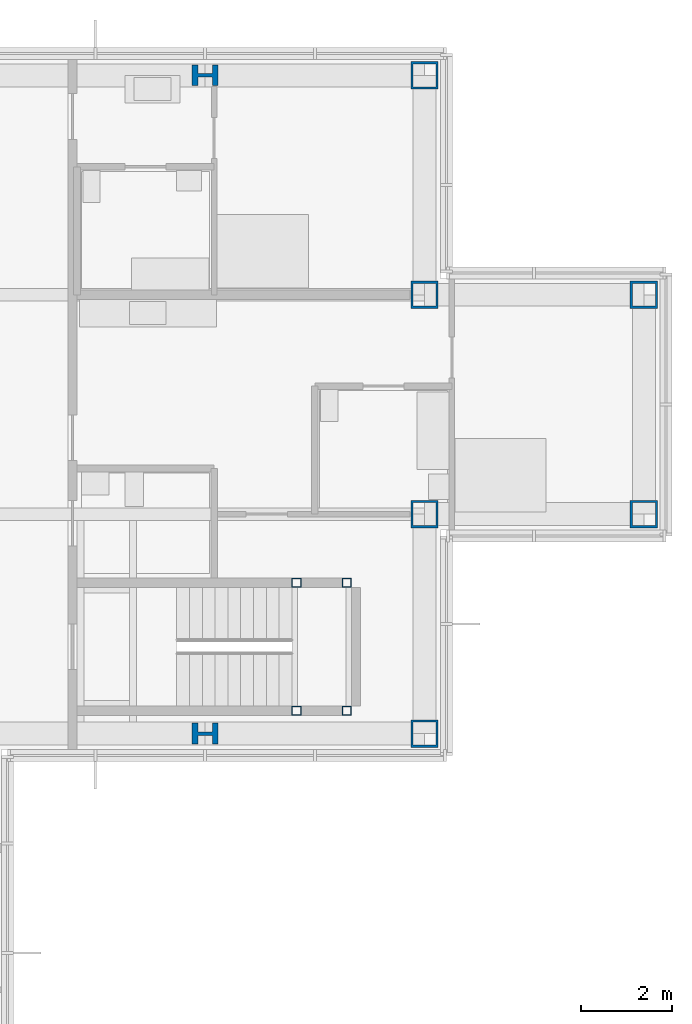
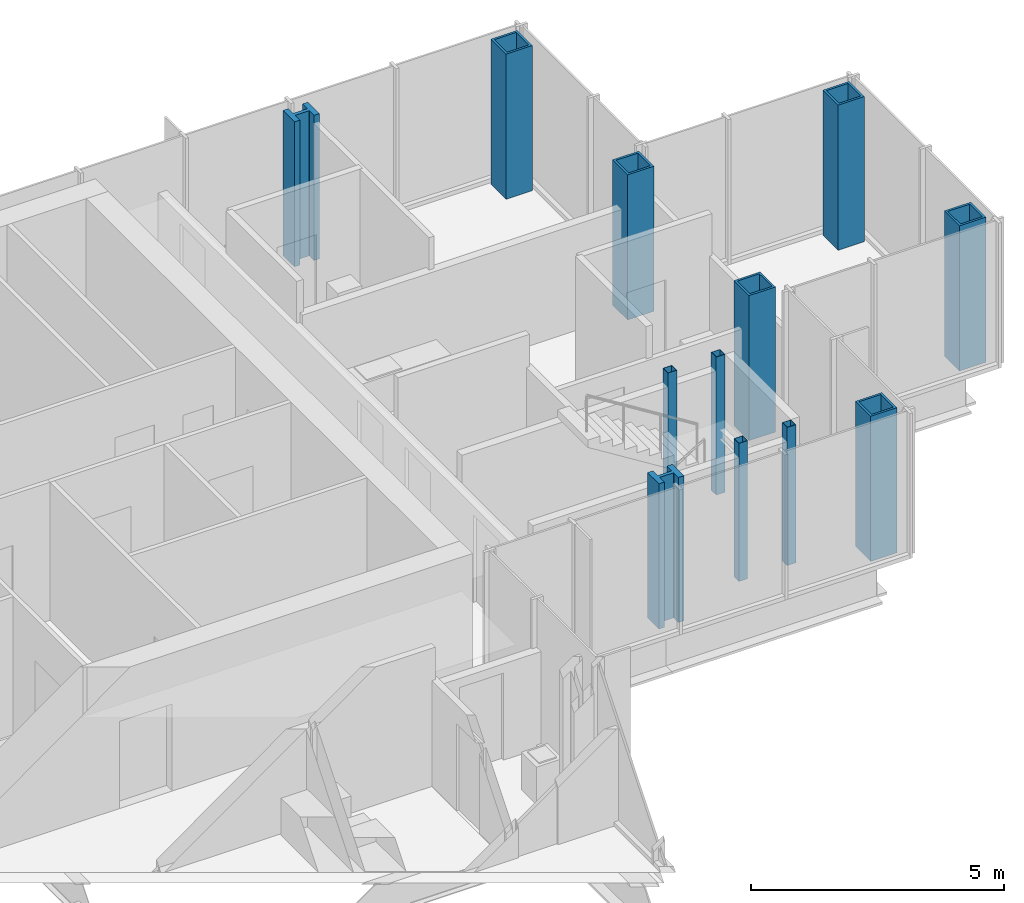
# One storey, part 4 of 15: 12 columns.
"""IFC4 building model written with IfcOpenShell, lengths in metres."""

import ifcopenshell
import ifcopenshell.guid

model = None  # the IFC model being written
_history = None  # IfcOwnerHistory: only IFC2X3 demands one
_inside = {}  # id of a spatial element -> (the spatial element, [elements in it])
_under = {}  # id of a project, library or spatial element -> (it, [spatial elements below it])
_declared = {}  # id of a project -> (the project, [libraries it declares])
_typed = {}  # id of a type object -> (the type object, [elements of that type])
_made_of = {}  # id of a material, layer set ... -> (it, [elements and type objects made of it])


def new_model(schema):
    """Start an empty IFC model of exactly this schema.

    Asked for "IFC4X3", IfcOpenShell would pick the latest addendum, in which some entities
    have other attributes; the version numbers below select the first issue.
    IFC2X3 requires an IfcOwnerHistory on every rooted entity: one is made here for all.
    """
    global model, _history
    if schema == "IFC4X3":
        model = ifcopenshell.file(schema_version=(4, 3, 0, 0))
    else:
        model = ifcopenshell.file(schema=schema)
    _inside.clear()
    _under.clear()
    _declared.clear()
    _typed.clear()
    _made_of.clear()
    _history = None
    if model.schema == "IFC2X3":
        org = make("IfcOrganization", Name="unknown")
        user = make(
            "IfcPersonAndOrganization",
            ThePerson=make("IfcPerson", FamilyName="unknown"),
            TheOrganization=org,
        )
        app = make(
            "IfcApplication",
            ApplicationDeveloper=org,
            Version="unknown",
            ApplicationFullName="unknown",
            ApplicationIdentifier="unknown",
        )
        _history = make(
            "IfcOwnerHistory",
            OwningUser=user,
            OwningApplication=app,
            ChangeAction="ADDED",
            CreationDate=0,
        )
    return model


def make(cls, **values):
    """One entity of the class cls with the attributes given. An attribute that is None is left unset."""
    return model.create_entity(
        cls, **{name: value for name, value in values.items() if value is not None}
    )


def rooted(cls, **values):
    """An entity with a GlobalId (a new one), such as an element, a storey or a relation."""
    return make(cls, GlobalId=ifcopenshell.guid.new(), OwnerHistory=_history, **values)


def si_unit(unit_type, name, prefix=None):
    """IfcSIUnit, for example si_unit("LENGTHUNIT", "METRE", prefix="MILLI")."""
    return make("IfcSIUnit", UnitType=unit_type, Prefix=prefix, Name=name)


def assignment(units):
    """IfcUnitAssignment: the units of a project."""
    return None if units is None else make("IfcUnitAssignment", Units=units)


def point(xyz):
    """IfcCartesianPoint."""
    return None if xyz is None else make("IfcCartesianPoint", Coordinates=xyz)


def direction(xyz):
    """IfcDirection."""
    return None if xyz is None else make("IfcDirection", DirectionRatios=xyz)


def frame(location, z_axis=None, x_axis=None):
    """IfcAxis2Placement3D, a coordinate frame: its origin and axes. An axis left out is left unset."""
    return make(
        "IfcAxis2Placement3D",
        Location=point(location),
        Axis=direction(z_axis),
        RefDirection=direction(x_axis),
    )


def frame_2d(location, x_axis=None):
    """IfcAxis2Placement2D, a coordinate frame in the plane: its origin and x axis."""
    return make(
        "IfcAxis2Placement2D", Location=point(location), RefDirection=direction(x_axis)
    )


def origin():
    """The frame at (0, 0, 0) with its axes left unset."""
    return frame((0.0, 0.0, 0.0))


def origin_2d():
    """The frame at (0, 0) in the plane with its x axis left unset."""
    return frame_2d((0.0, 0.0))


def place(relative_to, where):
    """IfcLocalPlacement: puts the frame where relative to a parent placement (None: the world)."""
    return make(
        "IfcLocalPlacement", PlacementRelTo=relative_to, RelativePlacement=where
    )


def context(
    kind, dimensions, precision=None, world=None, true_north=None, identifier=None
):
    """IfcGeometricRepresentationContext, for example the 3D "Model" context."""
    return make(
        "IfcGeometricRepresentationContext",
        ContextIdentifier=identifier,
        ContextType=kind,
        CoordinateSpaceDimension=dimensions,
        Precision=precision,
        WorldCoordinateSystem=world,
        TrueNorth=true_north,
    )


def subcontext(parent, identifier, kind, view, scale=None):
    """IfcGeometricRepresentationSubContext, for example "Body" below "Model"."""
    return make(
        "IfcGeometricRepresentationSubContext",
        ContextIdentifier=identifier,
        ContextType=kind,
        ParentContext=parent,
        TargetScale=scale,
        TargetView=view,
    )


def project(units=None, contexts=None):
    """IfcProject with its units and contexts."""
    return rooted(
        "IfcProject",
        Name="project",
        RepresentationContexts=contexts,
        UnitsInContext=assignment(units),
    )


def spatial(cls, under=None, at=None, **own):
    """A site, building, storey or space (cls), placed at a placement, below another one or the project."""
    s = rooted(cls, ObjectPlacement=at, **own)
    if under is not None:
        _under.setdefault(under.id(), (under, []))[1].append(s)
    return s


def profile(cls, at=None, kind="AREA", **sizes):
    """A parametric profile (cls). Its sizes go by their IFC names, for example OverallWidth=200.0."""
    return make(cls, ProfileType=kind, Position=at, **sizes)


def hollow_rectangle(**sizes):
    """IfcRectangleHollowProfileDef."""
    return profile("IfcRectangleHollowProfileDef", **sizes)


def i_section(**sizes):
    """IfcIShapeProfileDef."""
    return profile("IfcIShapeProfileDef", **sizes)


def extrude(swept, where, along, depth):
    """IfcExtrudedAreaSolid: the profile swept, set in the frame where, extruded along a direction by depth."""
    return make(
        "IfcExtrudedAreaSolid",
        SweptArea=swept,
        Position=where,
        ExtrudedDirection=direction(along),
        Depth=depth,
    )


def shape(context_of_items, identifier, shape_type, items):
    """IfcShapeRepresentation: the items that make up one representation, for example the "Body"."""
    return make(
        "IfcShapeRepresentation",
        ContextOfItems=context_of_items,
        RepresentationIdentifier=identifier,
        RepresentationType=shape_type,
        Items=items,
    )


def material(Name=None, Category=None):
    """IfcMaterial."""
    return make("IfcMaterial", Name=Name, Category=Category)


def material_profile(
    of_material, cross_section, Name=None, Category=None, Priority=None
):
    """IfcMaterialProfile: a cross section and its material."""
    return make(
        "IfcMaterialProfile",
        Name=Name,
        Material=of_material,
        Profile=cross_section,
        Priority=Priority,
        Category=Category,
    )


def profile_set(profiles, Name=None, composite=None):
    """IfcMaterialProfileSet."""
    return make(
        "IfcMaterialProfileSet",
        Name=Name,
        MaterialProfiles=profiles,
        CompositeProfile=composite,
    )


def made_of(thing, what):
    """Note that an element or type object is made of a material, layer set ...; save() writes the relation."""
    if what is not None:
        _made_of.setdefault(what.id(), (what, []))[1].append(thing)
    return thing


def type_object(cls, material=None, **own):
    """A type object (cls), such as IfcWallType, which elements share."""
    return made_of(rooted(cls, **own), material)


def element(
    cls,
    number,
    at=None,
    inside=None,
    cuts=None,
    type_object=None,
    material=None,
    context=None,
    identifier="Body",
    shape_type=None,
    held_by="IfcProductDefinitionShape",
    body=None,
    shapes=None,
    **own,
):
    """One element of the class cls, such as IfcWall. Its Tag is "e" and its number.

    at: its placement. inside: the storey or other place that contains it. cuts: it is an
    opening in that element (IfcRelVoidsElement). A single representation is given by context,
    identifier, shape_type and body (its items); several are given by shapes. held_by: the class
    of the entity that holds the representations. save() writes the other relations.
    """
    e = rooted(cls, Tag="e%d" % number, ObjectPlacement=at, **own)
    if body is not None:
        shapes = [shape(context, identifier, shape_type, body)]
    if shapes is not None:
        e.Representation = make(held_by, Representations=shapes)
    if inside is not None:
        _inside.setdefault(inside.id(), (inside, []))[1].append(e)
    if cuts is not None:
        rooted(
            "IfcRelVoidsElement", RelatingBuildingElement=cuts, RelatedOpeningElement=e
        )
    if type_object is not None:
        _typed.setdefault(type_object.id(), (type_object, []))[1].append(e)
    return made_of(e, material)


def aggregate(whole, parts):
    """IfcRelAggregates: a whole, such as a stair, and the parts it consists of."""
    return rooted("IfcRelAggregates", RelatingObject=whole, RelatedObjects=parts)


def save(model, path):
    """Write the relations noted so far, then the file.

    IfcRelAggregates (storeys below a building ...), IfcRelContainedInSpatialStructure (elements
    in a storey), IfcRelDefinesByType, IfcRelAssociatesMaterial and IfcRelDeclares: one each for
    every whole, place, type object, material and project.
    """
    for whole, parts in _under.values():
        aggregate(whole, parts)
    for where, things in _inside.values():
        rooted(
            "IfcRelContainedInSpatialStructure",
            RelatedElements=things,
            RelatingStructure=where,
        )
    for kind, things in _typed.values():
        rooted("IfcRelDefinesByType", RelatedObjects=things, RelatingType=kind)
    for what, things in _made_of.values():
        rooted("IfcRelAssociatesMaterial", RelatedObjects=things, RelatingMaterial=what)
    for by, libraries in _declared.values():
        rooted("IfcRelDeclares", RelatingContext=by, RelatedDefinitions=libraries)
    model.write(path)


model = new_model("IFC4")

# Units and contexts
model_context = context("Model", 3, precision=1e-05, world=origin(), true_north=direction((0.0, 1.0)))
body_context = subcontext(model_context, "Body", "Model", "MODEL_VIEW")
ifc_project = project(units=[si_unit("LENGTHUNIT", "METRE"), si_unit("AREAUNIT", "SQUARE_METRE"), si_unit("VOLUMEUNIT", "CUBIC_METRE"), si_unit("PLANEANGLEUNIT", "RADIAN"), si_unit("MASSUNIT", "GRAM", prefix="KILO")], contexts=[model_context])

# Site, building, storey
site_placement = place(None, origin())
site = spatial("IfcSite", under=ifc_project, at=site_placement, CompositionType="ELEMENT")
building_placement = place(site_placement, origin())
building = spatial("IfcBuilding", under=site, at=building_placement, Name="Kvirike Care Tower", CompositionType="ELEMENT")
storey_placement = place(building_placement, frame((0.0, 0.0, 215.5)))
storey = spatial("IfcBuildingStorey", under=building, at=storey_placement, Name="L59", CompositionType="ELEMENT", Elevation=215.5)

# Columns
ifc_material_1 = material(Name="Steel S460", Category="steel")
ifc_material_profile_1 = material_profile(ifc_material_1, hollow_rectangle(XDim=0.60009765625, YDim=0.60009765625, WallThickness=0.050048828125, at=origin_2d()), Name="BX 600x600x50")
ifc_profile_set_1 = profile_set([ifc_material_profile_1], Name="Steel S460")
column_type_1 = type_object("IfcColumnType", Name="COLUMN BX 600x600x50", PredefinedType="COLUMN", material=ifc_profile_set_1)
for number, where, z_axis, x_axis, name in (
    (1, (38.39990234375, 28.800048828125, 0.0), (0.0, 0.0, 1.0), (0.0, 1.0, 0.0), "Column G11 L59"),
    (2, (38.39990234375, 33.60009765625, 0.0), (0.0, 0.0, 1.0), (0.0, 1.0, 0.0), "Column H11 L59"),
    (3, (38.39990234375, 38.39990234375, 0.0), (0.0, 0.0, 1.0), (0.0, 1.0, 0.0), "Column J11 L59"),
    (4, (38.39990234375, 43.199951171875, 0.0), (0.0, 0.0, 1.0), (0.0, 1.0, 0.0), "Column K11 L59"),
    (5, (43.199951171875, 33.60009765625, 0.0), (0.0, 0.0, 1.0), (0.0, 1.0, 0.0), "Column H12 L59"),
    (6, (43.199951171875, 38.39990234375, 0.0), (0.0, 0.0, 1.0), (0.0, 1.0, 0.0), "Column J12 L59"),
):
    element("IfcColumn", number, at=place(storey_placement, frame(where, z_axis=z_axis, x_axis=x_axis)), inside=storey, type_object=column_type_1, Name=name, PredefinedType="COLUMN", context=body_context, shape_type="SweptSolid", body=[
        extrude(hollow_rectangle(XDim=0.60009765625, YDim=0.60009765625, WallThickness=0.050048828125, at=origin_2d()), origin(), (0.0, 0.0, 1.0), 3.5),
    ])
ifc_material_2 = material(Name="Steel S460", Category="steel")
ifc_material_profile_2 = material_profile(ifc_material_2, i_section(OverallWidth=0.4541015625, OverallDepth=0.569091796875, WebThickness=0.077880859375, FlangeThickness=0.125, FilletRadius=0.014892578125, at=origin_2d()), Name="HD 400x1086")
ifc_profile_set_2 = profile_set([ifc_material_profile_2], Name="Steel S460")
column_type_2 = type_object("IfcColumnType", Name="COLUMN HD 400x1086", PredefinedType="COLUMN", material=ifc_profile_set_2)
for number, where, z_axis, x_axis, name in (
    (7, (33.60009765625, 28.800048828125, 0.0), (0.0, 0.0, 1.0), (0.0, 1.0, 0.0), "Column G10 L59"),
    (8, (33.60009765625, 43.199951171875, 0.0), (0.0, 0.0, 1.0), (0.0, 1.0, 0.0), "Column K10 L59"),
):
    element("IfcColumn", number, at=place(storey_placement, frame(where, z_axis=z_axis, x_axis=x_axis)), inside=storey, type_object=column_type_2, Name=name, PredefinedType="COLUMN", context=body_context, shape_type="SweptSolid", body=[
        extrude(i_section(OverallWidth=0.4541015625, OverallDepth=0.569091796875, WebThickness=0.077880859375, FlangeThickness=0.125, FilletRadius=0.014892578125, at=origin_2d()), origin(), (0.0, 0.0, 1.0), 3.5),
    ])
ifc_material_3 = material(Name="Steel S460", Category="steel")
ifc_material_profile_3 = material_profile(ifc_material_3, hollow_rectangle(XDim=0.199951171875, YDim=0.199951171875, WallThickness=0.008056640625, at=origin_2d()), Name="SHS 200x200x8")
ifc_profile_set_3 = profile_set([ifc_material_profile_3], Name="Steel S460")
column_type_3 = type_object("IfcColumnType", Name="STAIR POST SHS 200x200x8", PredefinedType="COLUMN", material=ifc_profile_set_3)
for number, where, z_axis, x_axis, name in (
    (9, (36.699951171875, 29.300048828125, 0.0), (0.0, 0.0, 1.0), (1.0, 0.0, 0.0), "Stair 2 post 1 L59"),
    (10, (36.699951171875, 32.10009765625, 0.0), (0.0, 0.0, 1.0), (1.0, 0.0, 0.0), "Stair 2 post 2 L59"),
    (11, (35.60009765625, 29.300048828125, 0.0), (0.0, 0.0, 1.0), (1.0, 0.0, 0.0), "Stair 2 post 3 L59"),
    (12, (35.60009765625, 32.10009765625, 0.0), (0.0, 0.0, 1.0), (1.0, 0.0, 0.0), "Stair 2 post 4 L59"),
):
    element("IfcColumn", number, at=place(storey_placement, frame(where, z_axis=z_axis, x_axis=x_axis)), inside=storey, type_object=column_type_3, Name=name, PredefinedType="COLUMN", context=body_context, shape_type="SweptSolid", body=[
        extrude(hollow_rectangle(XDim=0.199951171875, YDim=0.199951171875, WallThickness=0.008056640625, at=origin_2d()), origin(), (0.0, 0.0, 1.0), 3.330078125),
    ])

save(model, "model.ifc")
